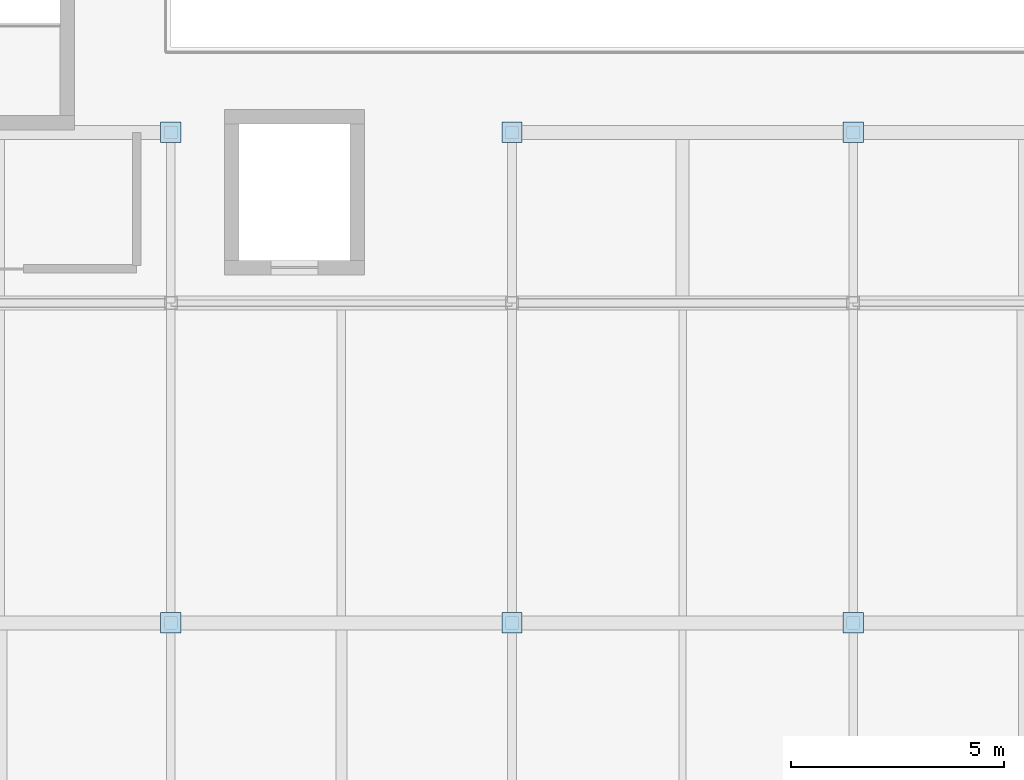
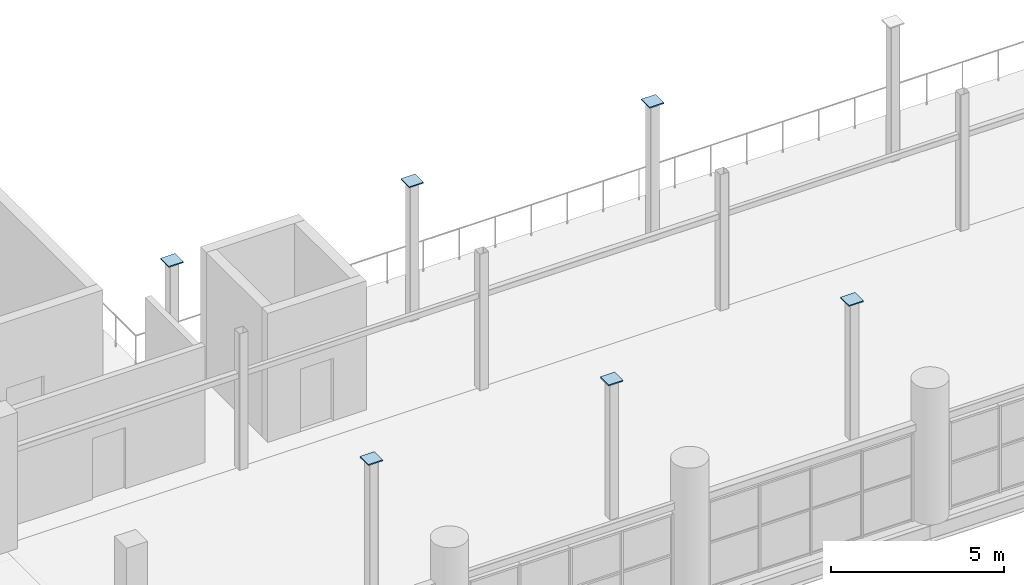
# One storey, part 92 of 114: 6 plates.
"""IFC4 building model written with IfcOpenShell, lengths in metres."""

from ifc_helpers import new_model, si_unit, direction, frame, origin, origin_2d, place, context, subcontext, project, spatial, rectangle, extrude, material, layer, layer_set, type_object, element, save


model = new_model("IFC4")

# Units and contexts
model_context = context("Model", 3, precision=1e-05, world=origin(), true_north=direction((0.0, 1.0)))
body_context = subcontext(model_context, "Body", "Model", "MODEL_VIEW")
ifc_project = project(units=[si_unit("LENGTHUNIT", "METRE"), si_unit("AREAUNIT", "SQUARE_METRE"), si_unit("VOLUMEUNIT", "CUBIC_METRE"), si_unit("PLANEANGLEUNIT", "RADIAN"), si_unit("MASSUNIT", "GRAM", prefix="KILO")], contexts=[model_context])

# Site, building, storey
site_placement = place(None, origin())
site = spatial("IfcSite", under=ifc_project, at=site_placement, CompositionType="ELEMENT")
building_placement = place(site_placement, origin())
building = spatial("IfcBuilding", under=site, at=building_placement, Name="Verrall Gate Interchange", CompositionType="ELEMENT")
storey_placement = place(building_placement, frame((0.0, 0.0, 6.60009765625)))
storey = spatial("IfcBuildingStorey", under=building, at=storey_placement, Name="L02", CompositionType="ELEMENT", Elevation=6.60009765625)

# Plates
ifc_material = material(Name="Structural Steel CSA G40.21 350WT Cat 4", Category="steel")
ifc_layer = layer(ifc_material, 0.0400390625)
ifc_layer_set = layer_set([ifc_layer], Name="Structural Steel CSA G40.21 350WT Cat 4")
plate_type = type_object("IfcPlateType", Name="BP-01 Base Plate 40", PredefinedType="USERDEFINED", material=ifc_layer_set)
for number, where, z_axis, x_axis, name in (
    (1, (44.0, 4.5, 4.7998046875), (0.0, 0.0, 1.0), (1.0, 0.0, 0.0), "L02 Hollow Column Top Cap Plate 0833"),
    (2, (44.0, 16.0, 4.7998046875), (0.0, 0.0, 1.0), (1.0, 0.0, 0.0), "L02 Hollow Column Top Cap Plate 0841"),
    (3, (52.0, 4.5, 4.7998046875), (0.0, 0.0, 1.0), (1.0, 0.0, 0.0), "L02 Hollow Column Top Cap Plate 0871"),
    (4, (52.0, 16.0, 4.7998046875), (0.0, 0.0, 1.0), (1.0, 0.0, 0.0), "L02 Hollow Column Top Cap Plate 0879"),
    (5, (60.0, 4.5, 4.7998046875), (0.0, 0.0, 1.0), (1.0, 0.0, 0.0), "L02 Hollow Column Top Cap Plate 0909"),
    (6, (60.0, 16.0, 4.7998046875), (0.0, 0.0, 1.0), (1.0, 0.0, 0.0), "L02 Hollow Column Top Cap Plate 0917"),
):
    element("IfcPlate", number, at=place(storey_placement, frame(where, z_axis=z_axis, x_axis=x_axis)), inside=storey, type_object=plate_type, Name=name, ObjectType="BASE_PLATE", PredefinedType="USERDEFINED", context=body_context, shape_type="SweptSolid", body=[
        extrude(rectangle(XDim=0.47998046875, YDim=0.47998046875, at=origin_2d()), origin(), (0.0, 0.0, 1.0), 0.0400390625),
    ])

save(model, "model.ifc")
